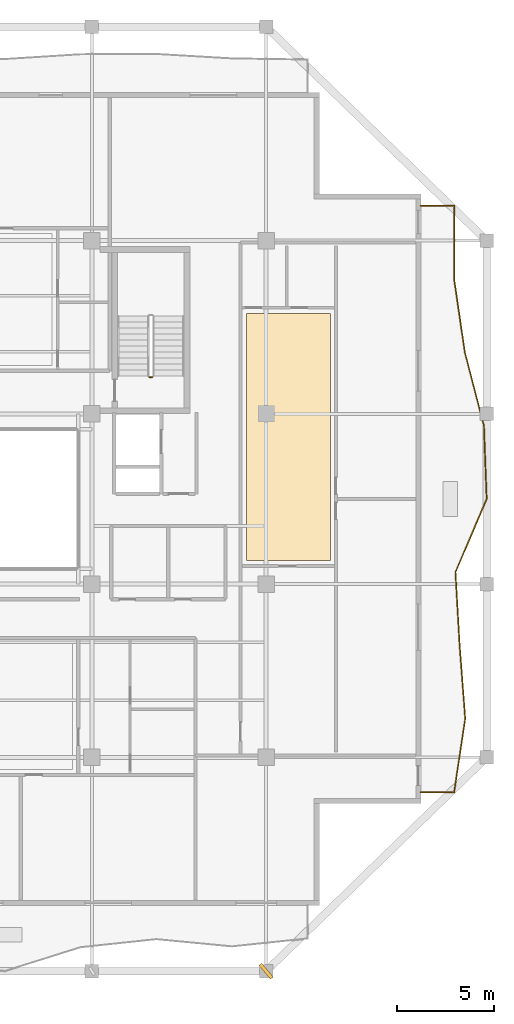
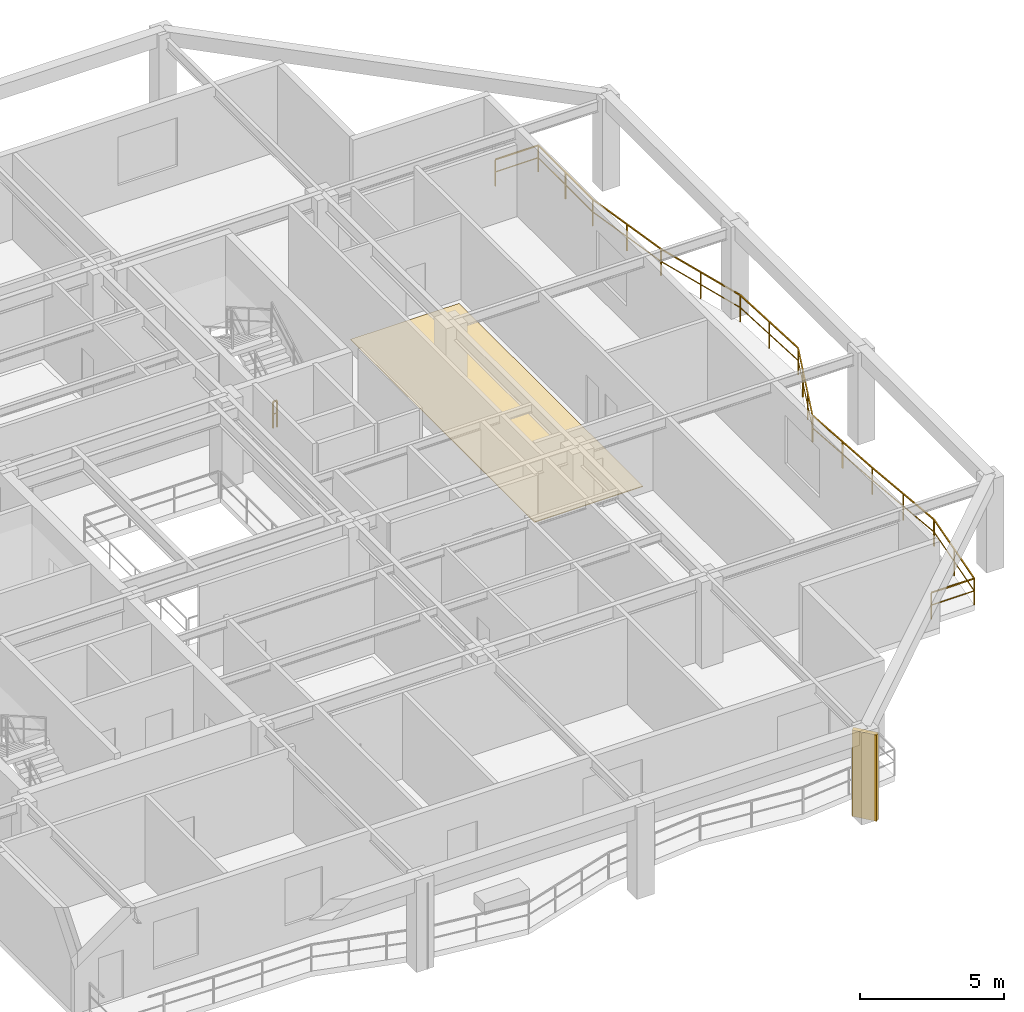
# One storey, part 9 of 11: 2 railings, 1 covering, 1 shading device.
"""IFC4 building model written with IfcOpenShell, lengths in metres."""

from ifc_helpers import new_model, si_unit, direction, frame, origin, origin_2d, place, context, subcontext, project, spatial, polyline, rectangle, outline, extrude, material, layer, layer_set, type_object, element, save


model = new_model("IFC4")

# Units and contexts
model_context = context("Model", 3, precision=1e-05, world=origin(), true_north=direction((0.0, 1.0)))
body_context = subcontext(model_context, "Body", "Model", "MODEL_VIEW")
ifc_project = project(units=[si_unit("LENGTHUNIT", "METRE"), si_unit("AREAUNIT", "SQUARE_METRE"), si_unit("VOLUMEUNIT", "CUBIC_METRE"), si_unit("PLANEANGLEUNIT", "RADIAN"), si_unit("MASSUNIT", "GRAM", prefix="KILO")], contexts=[model_context])

# Site, building, storey
site_placement = place(None, origin())
site = spatial("IfcSite", under=ifc_project, at=site_placement, CompositionType="ELEMENT")
building_placement = place(site_placement, origin())
building = spatial("IfcBuilding", under=site, at=building_placement, Name="Kundavana Baori Tower", CompositionType="ELEMENT")
storey_placement = place(building_placement, frame((0.0, 0.0, 257.0)))
storey = spatial("IfcBuildingStorey", under=building, at=storey_placement, Name="L63", CompositionType="ELEMENT", Elevation=257.0)

# Covering
ifc_material_1 = material(Name="Honed Kota Stone and Terrazzo Flooring", Category="masonry")
ifc_layer = layer(ifc_material_1, 0.030029296875, Name="COV-INT-FLR")
ifc_layer_set = layer_set([ifc_layer], Name="Honed Kota Stone and Terrazzo Flooring")
covering_type = type_object("IfcCoveringType", Name="COV-INT-FLR", PredefinedType="FLOORING", material=ifc_layer_set)
covering_placement = place(storey_placement, origin())
element("IfcCovering", 1, at=covering_placement, inside=storey, type_object=covering_type, Name="L63 Room Finished Stone Flooring 5", PredefinedType="FLOORING", context=body_context, shape_type="SweptSolid", body=[
    extrude(outline(polyline([(41.780029296875, 25.409912109375), (46.1298828125, 25.409912109375), (46.1298828125, 38.18994140625), (41.780029296875, 38.18994140625), (41.780029296875, 25.409912109375)])), origin(), (0.0, 0.0, 1.0), 0.030029296875),
])

# Railings
ifc_material_2 = material(Name="Architectural Patinated Bronze Metalwork")
railing_type_1 = type_object("IfcRailingType", Name="RL-BAL-1150", PredefinedType="BALUSTRADE", material=ifc_material_2)
railing_1_placement = place(storey_placement, frame((50.800048828125, 43.75, 0.0)))
element("IfcRailing", 2, at=railing_1_placement, inside=storey, type_object=railing_type_1, Name="L63 Loggia Balcony Balustrade E", PredefinedType="BALUSTRADE", context=body_context, shape_type="SweptSolid", body=[
    extrude(rectangle(XDim=0.048095703125, YDim=0.048095703125, at=origin_2d()), frame((0.0, 0.0, 1.1259765625), z_axis=(1.0, 0.0, 0.0), x_axis=(0.0, 1.0, 0.0)), (0.0, 0.0, 1.0), 1.719970703125),
    extrude(rectangle(XDim=0.03125, YDim=0.03125, at=origin_2d()), frame((0.0, 0.0, 0.597900390625), z_axis=(1.0, 0.0, 0.0), x_axis=(0.0, 1.0, 0.0)), (0.0, 0.0, 1.0), 1.719970703125),
    extrude(rectangle(XDim=0.048095703125, YDim=0.048095703125, at=origin_2d()), frame((1.719970703125, 0.0, 1.1259765625), z_axis=(0.0, -1.0, 0.0), x_axis=(1.0, 0.0, 0.0)), (0.0, 0.0, 1.0), 3.7880859375),
    extrude(rectangle(XDim=0.03125, YDim=0.03125, at=origin_2d()), frame((1.719970703125, 0.0, 0.597900390625), z_axis=(0.0, -1.0, 0.0), x_axis=(1.0, 0.0, 0.0)), (0.0, 0.0, 1.0), 3.7880859375),
    extrude(rectangle(XDim=0.048095703125, YDim=0.048095703125, at=origin_2d()), frame((1.719970703125, -3.7880859375, 1.1259765625), z_axis=(0.144742818996, -0.989469310464, 0.0), x_axis=(0.989469310464, 0.144742818996, 0.0)), (0.0, 0.0, 1.0), 3.8271484375),
    extrude(rectangle(XDim=0.03125, YDim=0.03125, at=origin_2d()), frame((1.719970703125, -3.7880859375, 0.597900390625), z_axis=(0.144742818996, -0.989469310464, 0.0), x_axis=(0.989469310464, 0.144742818996, 0.0)), (0.0, 0.0, 1.0), 3.8271484375),
    extrude(rectangle(XDim=0.048095703125, YDim=0.048095703125, at=origin_2d()), frame((2.27392578125, -7.574951171875, 1.1259765625), z_axis=(0.251743716415, -0.967793935322, 0.0), x_axis=(0.967793935322, 0.251743716415, 0.0)), (0.0, 0.0, 1.0), 3.9130859375),
    extrude(rectangle(XDim=0.03125, YDim=0.03125, at=origin_2d()), frame((2.27392578125, -7.574951171875, 0.597900390625), z_axis=(0.251743716415, -0.967793935322, 0.0), x_axis=(0.967793935322, 0.251743716415, 0.0)), (0.0, 0.0, 1.0), 3.9130859375),
    extrude(rectangle(XDim=0.048095703125, YDim=0.048095703125, at=origin_2d()), frame((3.259033203125, -11.362060546875, 1.1259765625), z_axis=(0.037164124663, -0.9993091753, 0.0), x_axis=(0.9993091753, 0.037164124663, 0.0)), (0.0, 0.0, 1.0), 3.79052734375),
    extrude(rectangle(XDim=0.03125, YDim=0.03125, at=origin_2d()), frame((3.259033203125, -11.362060546875, 0.597900390625), z_axis=(0.037164124663, -0.9993091753, 0.0), x_axis=(0.9993091753, 0.037164124663, 0.0)), (0.0, 0.0, 1.0), 3.79052734375),
    extrude(rectangle(XDim=0.048095703125, YDim=0.048095703125, at=origin_2d()), frame((3.39990234375, -15.14990234375, 1.1259765625), z_axis=(-0.391326505536, -0.920251903592, 0.0), x_axis=(0.920251903592, -0.391326505536, 0.0)), (0.0, 0.0, 1.0), 4.116455078125),
    extrude(rectangle(XDim=0.03125, YDim=0.03125, at=origin_2d()), frame((3.39990234375, -15.14990234375, 0.597900390625), z_axis=(-0.391326505536, -0.920251903592, 0.0), x_axis=(0.920251903592, -0.391326505536, 0.0)), (0.0, 0.0, 1.0), 4.116455078125),
    extrude(rectangle(XDim=0.048095703125, YDim=0.048095703125, at=origin_2d()), frame((1.7890625, -18.93798828125, 1.1259765625), z_axis=(0.057152432435, -0.998365463879, 0.0), x_axis=(0.998365463879, 0.057152432435, 0.0)), (0.0, 0.0, 1.0), 3.793212890625),
    extrude(rectangle(XDim=0.03125, YDim=0.03125, at=origin_2d()), frame((1.7890625, -18.93798828125, 0.597900390625), z_axis=(0.057152432435, -0.998365463879, 0.0), x_axis=(0.998365463879, 0.057152432435, 0.0)), (0.0, 0.0, 1.0), 3.793212890625),
    extrude(rectangle(XDim=0.048095703125, YDim=0.048095703125, at=origin_2d()), frame((2.005859375, -22.72509765625, 1.1259765625), z_axis=(0.075855855639, -0.997118793908, 0.0), x_axis=(0.997118793908, 0.075855855639, 0.0)), (0.0, 0.0, 1.0), 3.7978515625),
    extrude(rectangle(XDim=0.03125, YDim=0.03125, at=origin_2d()), frame((2.005859375, -22.72509765625, 0.597900390625), z_axis=(0.075855855639, -0.997118793908, 0.0), x_axis=(0.997118793908, 0.075855855639, 0.0)), (0.0, 0.0, 1.0), 3.7978515625),
    extrude(rectangle(XDim=0.048095703125, YDim=0.048095703125, at=origin_2d()), frame((2.2939453125, -26.511962890625, 1.1259765625), z_axis=(-0.149811042356, -0.988714646189, 0.0), x_axis=(0.988714646189, -0.149811042356, 0.0)), (0.0, 0.0, 1.0), 3.831298828125),
    extrude(rectangle(XDim=0.03125, YDim=0.03125, at=origin_2d()), frame((2.2939453125, -26.511962890625, 0.597900390625), z_axis=(-0.149811042356, -0.988714646189, 0.0), x_axis=(0.988714646189, -0.149811042356, 0.0)), (0.0, 0.0, 1.0), 3.831298828125),
    extrude(rectangle(XDim=0.048095703125, YDim=0.048095703125, at=origin_2d()), frame((1.719970703125, -30.300048828125, 1.1259765625), z_axis=(-1.0, 0.0, 0.0), x_axis=(0.0, -1.0, 0.0)), (0.0, 0.0, 1.0), 1.719970703125),
    extrude(rectangle(XDim=0.03125, YDim=0.03125, at=origin_2d()), frame((1.719970703125, -30.300048828125, 0.597900390625), z_axis=(-1.0, 0.0, 0.0), x_axis=(0.0, -1.0, 0.0)), (0.0, 0.0, 1.0), 1.719970703125),
    extrude(rectangle(XDim=0.0419921875, YDim=0.0419921875, at=origin_2d()), origin(), (0.0, 0.0, 1.0), 1.101806640625),
    extrude(rectangle(XDim=0.0419921875, YDim=0.0419921875, at=origin_2d()), frame((1.719970703125, 0.0, 0.0)), (0.0, 0.0, 1.0), 1.101806640625),
    extrude(rectangle(XDim=0.0419921875, YDim=0.0419921875, at=origin_2d()), frame((1.719970703125, -1.89404296875, 0.0)), (0.0, 0.0, 1.0), 1.101806640625),
    extrude(rectangle(XDim=0.0419921875, YDim=0.0419921875, at=origin_2d()), frame((1.719970703125, -3.7880859375, 0.0)), (0.0, 0.0, 1.0), 1.101806640625),
    extrude(rectangle(XDim=0.0419921875, YDim=0.0419921875, at=origin_2d()), frame((1.9970703125, -5.681640625, 0.0)), (0.0, 0.0, 1.0), 1.101806640625),
    extrude(rectangle(XDim=0.0419921875, YDim=0.0419921875, at=origin_2d()), frame((2.27392578125, -7.574951171875, 0.0)), (0.0, 0.0, 1.0), 1.101806640625),
    extrude(rectangle(XDim=0.0419921875, YDim=0.0419921875, at=origin_2d()), frame((2.7666015625, -9.468505859375, 0.0)), (0.0, 0.0, 1.0), 1.101806640625),
    extrude(rectangle(XDim=0.0419921875, YDim=0.0419921875, at=origin_2d()), frame((3.259033203125, -11.362060546875, 0.0)), (0.0, 0.0, 1.0), 1.101806640625),
    extrude(rectangle(XDim=0.0419921875, YDim=0.0419921875, at=origin_2d()), frame((3.32958984375, -13.255859375, 0.0)), (0.0, 0.0, 1.0), 1.101806640625),
    extrude(rectangle(XDim=0.0419921875, YDim=0.0419921875, at=origin_2d()), frame((3.39990234375, -15.14990234375, 0.0)), (0.0, 0.0, 1.0), 1.101806640625),
    extrude(rectangle(XDim=0.0419921875, YDim=0.0419921875, at=origin_2d()), frame((2.863037109375, -16.41259765625, 0.0)), (0.0, 0.0, 1.0), 1.101806640625),
    extrude(rectangle(XDim=0.0419921875, YDim=0.0419921875, at=origin_2d()), frame((2.325927734375, -17.67529296875, 0.0)), (0.0, 0.0, 1.0), 1.101806640625),
    extrude(rectangle(XDim=0.0419921875, YDim=0.0419921875, at=origin_2d()), frame((1.7890625, -18.93798828125, 0.0)), (0.0, 0.0, 1.0), 1.101806640625),
    extrude(rectangle(XDim=0.0419921875, YDim=0.0419921875, at=origin_2d()), frame((1.8974609375, -20.83154296875, 0.0)), (0.0, 0.0, 1.0), 1.101806640625),
    extrude(rectangle(XDim=0.0419921875, YDim=0.0419921875, at=origin_2d()), frame((2.005859375, -22.72509765625, 0.0)), (0.0, 0.0, 1.0), 1.101806640625),
    extrude(rectangle(XDim=0.0419921875, YDim=0.0419921875, at=origin_2d()), frame((2.14990234375, -24.61865234375, 0.0)), (0.0, 0.0, 1.0), 1.101806640625),
    extrude(rectangle(XDim=0.0419921875, YDim=0.0419921875, at=origin_2d()), frame((2.2939453125, -26.511962890625, 0.0)), (0.0, 0.0, 1.0), 1.101806640625),
    extrude(rectangle(XDim=0.0419921875, YDim=0.0419921875, at=origin_2d()), frame((2.0068359375, -28.406005859375, 0.0)), (0.0, 0.0, 1.0), 1.101806640625),
    extrude(rectangle(XDim=0.0419921875, YDim=0.0419921875, at=origin_2d()), frame((1.719970703125, -30.300048828125, 0.0)), (0.0, 0.0, 1.0), 1.101806640625),
    extrude(rectangle(XDim=0.0419921875, YDim=0.0419921875, at=origin_2d()), frame((0.0, -30.300048828125, 0.0)), (0.0, 0.0, 1.0), 1.101806640625),
])
ifc_material_3 = material(Name="Architectural Patinated Bronze Metalwork")
railing_type_2 = type_object("IfcRailingType", Name="RL-GRD-1150", PredefinedType="GUARDRAIL", material=ifc_material_3)
railing_2_placement = place(storey_placement, frame((36.929931640625, 34.89990234375, 0.0)))
element("IfcRailing", 3, at=railing_2_placement, inside=storey, type_object=railing_type_2, Name="L63 ST3 stair guard 4", PredefinedType="GUARDRAIL", context=body_context, shape_type="SweptSolid", body=[
    extrude(rectangle(XDim=0.048095703125, YDim=0.048095703125, at=origin_2d()), frame((0.0, 0.0, 1.1259765625), z_axis=(-1.0, 0.0, 0.0), x_axis=(0.0, -1.0, 0.0)), (0.0, 0.0, 1.0), 0.159912109375),
    extrude(rectangle(XDim=0.03125, YDim=0.03125, at=origin_2d()), frame((0.0, 0.0, 0.597900390625), z_axis=(-1.0, 0.0, 0.0), x_axis=(0.0, -1.0, 0.0)), (0.0, 0.0, 1.0), 0.159912109375),
    extrude(rectangle(XDim=0.0419921875, YDim=0.0419921875, at=origin_2d()), origin(), (0.0, 0.0, 1.0), 1.101806640625),
    extrude(rectangle(XDim=0.0419921875, YDim=0.0419921875, at=origin_2d()), frame((-0.159912109375, 0.0, 0.0)), (0.0, 0.0, 1.0), 1.101806640625),
])

# Shading device
ifc_material_4 = material(Name="Red-Buff Dholpur Sandstone Cladding on Concrete C40/50", Category="masonry")
shading_device_type = type_object("IfcShadingDeviceType", Name="SHD-FIN-920", PredefinedType="JALOUSIE", material=ifc_material_4)
shading_device_placement = place(storey_placement, frame((42.800048828125, 4.199951171875, 0.0), z_axis=(0.0, 0.0, 1.0), x_axis=(0.766717148576, 0.641985057521, 0.0)))
element("IfcShadingDevice", 4, at=shading_device_placement, inside=storey, type_object=shading_device_type, Name="L63 Sweeping Dholpur Sandstone Facade Fin 4", PredefinedType="JALOUSIE", context=body_context, shape_type="SweptSolid", body=[
    extrude(rectangle(XDim=0.179931640625, YDim=0.919921875, at=origin_2d()), origin(), (0.0, 0.0, 1.0), 3.659912109375),
])

save(model, "model.ifc")
